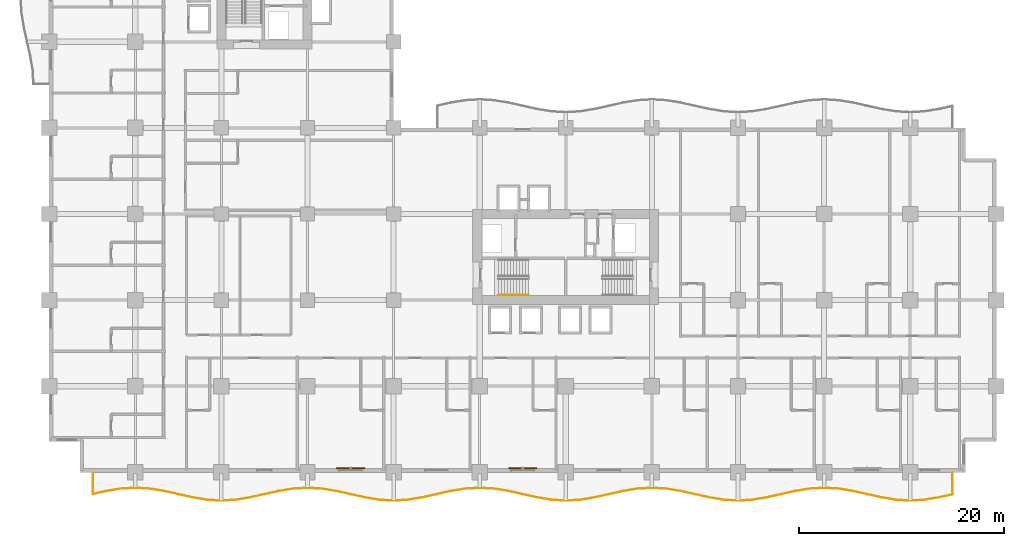
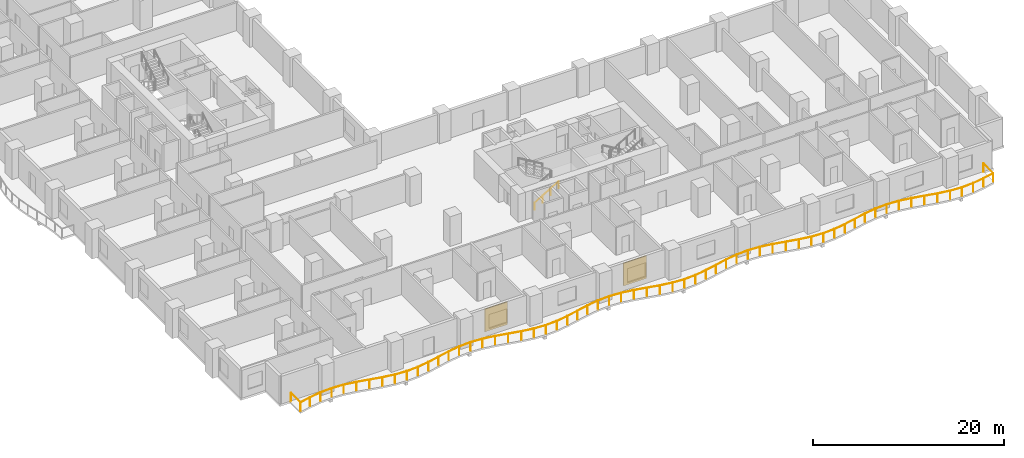
# One storey, part 20 of 23: 2 railings, 2 shading devices.
"""IFC4 building model written with IfcOpenShell, lengths in metres."""

from ifc_helpers import new_model, si_unit, direction, frame, origin, origin_2d, place, context, subcontext, project, spatial, rectangle, circle, extrude, material, layer, layer_set, type_object, element, save


model = new_model("IFC4")

# Units and contexts
model_context = context("Model", 3, precision=1e-05, world=origin(), true_north=direction((0.0, 1.0)))
body_context = subcontext(model_context, "Body", "Model", "MODEL_VIEW")
ifc_project = project(units=[si_unit("LENGTHUNIT", "METRE"), si_unit("AREAUNIT", "SQUARE_METRE"), si_unit("VOLUMEUNIT", "CUBIC_METRE"), si_unit("PLANEANGLEUNIT", "RADIAN"), si_unit("MASSUNIT", "GRAM", prefix="KILO")], contexts=[model_context])

# Site, building, storey
site_placement = place(None, origin())
site = spatial("IfcSite", under=ifc_project, at=site_placement, CompositionType="ELEMENT")
building_placement = place(site_placement, origin())
building = spatial("IfcBuilding", under=site, at=building_placement, Name="Koriwani Terraces Tower", CompositionType="ELEMENT")
storey_placement = place(building_placement, frame((0.0, 0.0, 32.0)))
storey = spatial("IfcBuildingStorey", under=building, at=storey_placement, Name="L06", CompositionType="ELEMENT", Elevation=32.0)

# Railings
ifc_material_1 = material(Name="Steel ASTM A572 Grade 50", Category="steel")
railing_type_1 = type_object("IfcRailingType", Name="GUARD_BALUSTRADE_1150", PredefinedType="BALUSTRADE", material=ifc_material_1)
railing_1_placement = place(storey_placement, frame((4.280029296875, -0.080078125, 0.0)))
element("IfcRailing", 1, at=railing_1_placement, inside=storey, type_object=railing_type_1, Name="L06 Balcony Perimeter Safety Balustrade (S)", PredefinedType="BALUSTRADE", context=body_context, shape_type="SweptSolid", body=[
    extrude(circle(Radius=0.02392578125, at=origin_2d()), frame((0.0, 0.0, 1.1259765625), z_axis=(0.0, -1.0, 0.0), x_axis=(1.0, 0.0, 0.0)), (0.0, 0.0, 1.0), 2.045166015625),
    extrude(circle(Radius=0.02392578125, at=origin_2d()), frame((0.0, -2.045166015625, 1.1259765625), z_axis=(0.975976038397, 0.21787788432, 0.0), x_axis=(-0.21787788432, 0.975976038397, 0.0)), (0.0, 0.0, 1.0), 1.3369140625),
    extrude(circle(Radius=0.02392578125, at=origin_2d()), frame((1.3046875, -1.75390625, 1.1259765625), z_axis=(0.986921202645, 0.161203411159, 0.0), x_axis=(-0.161203411159, 0.986921202645, 0.0)), (0.0, 0.0, 1.0), 1.425048828125),
    extrude(circle(Radius=0.02392578125, at=origin_2d()), frame((2.711181640625, -1.524169921875, 1.1259765625), z_axis=(0.998217235442, 0.059685432622, 0.0), x_axis=(-0.059685432622, 0.998217235442, 0.0)), (0.0, 0.0, 1.0), 1.4111328125),
    extrude(circle(Radius=0.02392578125, at=origin_2d()), frame((4.119873046875, -1.43994140625, 1.1259765625), z_axis=(0.998217851573, -0.059675127152, 0.0), x_axis=(0.059675127152, 0.998217851573, 0.0)), (0.0, 0.0, 1.0), 1.411376953125),
    extrude(circle(Radius=0.02392578125, at=origin_2d()), frame((5.52880859375, -1.524169921875, 1.1259765625), z_axis=(0.986916749742, -0.161230670401, 0.0), x_axis=(0.161230670401, 0.986916749742, 0.0)), (0.0, 0.0, 1.0), 1.4248046875),
    extrude(circle(Radius=0.02392578125, at=origin_2d()), frame((6.93505859375, -1.75390625, 1.1259765625), z_axis=(0.975982393728, -0.217849413893, 0.0), x_axis=(0.217849413893, 0.975982393728, 0.0)), (0.0, 0.0, 1.0), 2.868896484375),
    extrude(circle(Radius=0.02392578125, at=origin_2d()), frame((9.735107421875, -2.37890625, 1.1259765625), z_axis=(0.986907622111, -0.161286532042, 0.0), x_axis=(0.161286532042, 0.986907622111, 0.0)), (0.0, 0.0, 1.0), 1.412353515625),
    extrude(circle(Radius=0.02392578125, at=origin_2d()), frame((11.12890625, -2.606689453125, 1.1259765625), z_axis=(0.998214050326, -0.059738678687, 0.0), x_axis=(0.059738678687, 0.998214050326, 0.0)), (0.0, 0.0, 1.0), 1.3935546875),
    extrude(circle(Radius=0.02392578125, at=origin_2d()), frame((12.52001953125, -2.68994140625, 1.1259765625), z_axis=(0.998214050326, 0.059738678687, 0.0), x_axis=(-0.059738678687, 0.998214050326, 0.0)), (0.0, 0.0, 1.0), 1.3935546875),
    extrude(circle(Radius=0.02392578125, at=origin_2d()), frame((13.9111328125, -2.606689453125, 1.1259765625), z_axis=(0.986903124066, 0.16131405304, 0.0), x_axis=(-0.16131405304, 0.986903124066, 0.0)), (0.0, 0.0, 1.0), 1.412109375),
    extrude(circle(Radius=0.02392578125, at=origin_2d()), frame((15.3046875, -2.37890625, 1.1259765625), z_axis=(0.975982393728, 0.217849413893, 0.0), x_axis=(-0.217849413893, 0.975982393728, 0.0)), (0.0, 0.0, 1.0), 2.868896484375),
    extrude(circle(Radius=0.02392578125, at=origin_2d()), frame((18.104736328125, -1.75390625, 1.1259765625), z_axis=(0.986921202645, 0.161203411159, 0.0), x_axis=(-0.161203411159, 0.986921202645, 0.0)), (0.0, 0.0, 1.0), 1.425048828125),
    extrude(circle(Radius=0.02392578125, at=origin_2d()), frame((19.51123046875, -1.524169921875, 1.1259765625), z_axis=(0.998217235442, 0.059685432622, 0.0), x_axis=(-0.059685432622, 0.998217235442, 0.0)), (0.0, 0.0, 1.0), 1.4111328125),
    extrude(circle(Radius=0.02392578125, at=origin_2d()), frame((20.919921875, -1.43994140625, 1.1259765625), z_axis=(0.998217851573, -0.059675127152, 0.0), x_axis=(0.059675127152, 0.998217851573, 0.0)), (0.0, 0.0, 1.0), 1.411376953125),
    extrude(circle(Radius=0.02392578125, at=origin_2d()), frame((22.328857421875, -1.524169921875, 1.1259765625), z_axis=(0.986916749742, -0.161230670401, 0.0), x_axis=(0.161230670401, 0.986916749742, 0.0)), (0.0, 0.0, 1.0), 1.4248046875),
    extrude(circle(Radius=0.02392578125, at=origin_2d()), frame((23.735107421875, -1.75390625, 1.1259765625), z_axis=(0.975982393728, -0.217849413893, 0.0), x_axis=(0.217849413893, 0.975982393728, 0.0)), (0.0, 0.0, 1.0), 2.868896484375),
    extrude(circle(Radius=0.02392578125, at=origin_2d()), frame((26.53515625, -2.37890625, 1.1259765625), z_axis=(0.986907622111, -0.161286532042, 0.0), x_axis=(0.161286532042, 0.986907622111, 0.0)), (0.0, 0.0, 1.0), 1.412353515625),
    extrude(circle(Radius=0.02392578125, at=origin_2d()), frame((27.928955078125, -2.606689453125, 1.1259765625), z_axis=(0.998214050326, -0.059738678687, 0.0), x_axis=(0.059738678687, 0.998214050326, 0.0)), (0.0, 0.0, 1.0), 1.3935546875),
    extrude(circle(Radius=0.02392578125, at=origin_2d()), frame((29.320068359375, -2.68994140625, 1.1259765625), z_axis=(0.998214050326, 0.059738678687, 0.0), x_axis=(-0.059738678687, 0.998214050326, 0.0)), (0.0, 0.0, 1.0), 1.3935546875),
    extrude(circle(Radius=0.02392578125, at=origin_2d()), frame((30.711181640625, -2.606689453125, 1.1259765625), z_axis=(0.986903124066, 0.16131405304, 0.0), x_axis=(-0.16131405304, 0.986903124066, 0.0)), (0.0, 0.0, 1.0), 1.412109375),
    extrude(circle(Radius=0.02392578125, at=origin_2d()), frame((32.104736328125, -2.37890625, 1.1259765625), z_axis=(0.975982393728, 0.217849413893, 0.0), x_axis=(-0.217849413893, 0.975982393728, 0.0)), (0.0, 0.0, 1.0), 2.868896484375),
    extrude(circle(Radius=0.02392578125, at=origin_2d()), frame((34.90478515625, -1.75390625, 1.1259765625), z_axis=(0.986921202645, 0.161203411159, 0.0), x_axis=(-0.161203411159, 0.986921202645, 0.0)), (0.0, 0.0, 1.0), 1.425048828125),
    extrude(circle(Radius=0.02392578125, at=origin_2d()), frame((36.311279296875, -1.524169921875, 1.1259765625), z_axis=(0.998217235442, 0.059685432622, 0.0), x_axis=(-0.059685432622, 0.998217235442, 0.0)), (0.0, 0.0, 1.0), 1.4111328125),
    extrude(circle(Radius=0.02392578125, at=origin_2d()), frame((37.719970703125, -1.43994140625, 1.1259765625), z_axis=(0.998217235442, -0.059685432622, 0.0), x_axis=(0.059685432622, 0.998217235442, 0.0)), (0.0, 0.0, 1.0), 1.4111328125),
    extrude(circle(Radius=0.02392578125, at=origin_2d()), frame((39.128662109375, -1.524169921875, 1.1259765625), z_axis=(0.986921202645, -0.161203411159, 0.0), x_axis=(0.161203411159, 0.986921202645, 0.0)), (0.0, 0.0, 1.0), 1.425048828125),
    extrude(circle(Radius=0.02392578125, at=origin_2d()), frame((40.53515625, -1.75390625, 1.1259765625), z_axis=(0.975982393728, -0.217849413893, 0.0), x_axis=(0.217849413893, 0.975982393728, 0.0)), (0.0, 0.0, 1.0), 2.868896484375),
    extrude(circle(Radius=0.02392578125, at=origin_2d()), frame((43.335205078125, -2.37890625, 1.1259765625), z_axis=(0.986903124066, -0.16131405304, 0.0), x_axis=(0.16131405304, 0.986903124066, 0.0)), (0.0, 0.0, 1.0), 1.412109375),
    extrude(circle(Radius=0.02392578125, at=origin_2d()), frame((44.728759765625, -2.606689453125, 1.1259765625), z_axis=(0.998214050326, -0.059738678687, 0.0), x_axis=(0.059738678687, 0.998214050326, 0.0)), (0.0, 0.0, 1.0), 1.3935546875),
    extrude(circle(Radius=0.02392578125, at=origin_2d()), frame((46.119873046875, -2.68994140625, 1.1259765625), z_axis=(0.998214050326, 0.059738678687, 0.0), x_axis=(-0.059738678687, 0.998214050326, 0.0)), (0.0, 0.0, 1.0), 1.3935546875),
    extrude(circle(Radius=0.02392578125, at=origin_2d()), frame((47.510986328125, -2.606689453125, 1.1259765625), z_axis=(0.986907622111, 0.161286532042, 0.0), x_axis=(-0.161286532042, 0.986907622111, 0.0)), (0.0, 0.0, 1.0), 1.412353515625),
    extrude(circle(Radius=0.02392578125, at=origin_2d()), frame((48.90478515625, -2.37890625, 1.1259765625), z_axis=(0.975982393728, 0.217849413893, 0.0), x_axis=(-0.217849413893, 0.975982393728, 0.0)), (0.0, 0.0, 1.0), 2.868896484375),
    extrude(circle(Radius=0.02392578125, at=origin_2d()), frame((51.704833984375, -1.75390625, 1.1259765625), z_axis=(0.986916749742, 0.161230670401, 0.0), x_axis=(-0.161230670401, 0.986916749742, 0.0)), (0.0, 0.0, 1.0), 1.4248046875),
    extrude(circle(Radius=0.02392578125, at=origin_2d()), frame((53.111083984375, -1.524169921875, 1.1259765625), z_axis=(0.998217851573, 0.059675127152, 0.0), x_axis=(-0.059675127152, 0.998217851573, 0.0)), (0.0, 0.0, 1.0), 1.411376953125),
    extrude(circle(Radius=0.02392578125, at=origin_2d()), frame((54.52001953125, -1.43994140625, 1.1259765625), z_axis=(0.998217235442, -0.059685432622, 0.0), x_axis=(0.059685432622, 0.998217235442, 0.0)), (0.0, 0.0, 1.0), 1.4111328125),
    extrude(circle(Radius=0.02392578125, at=origin_2d()), frame((55.9287109375, -1.524169921875, 1.1259765625), z_axis=(0.986921202645, -0.161203411159, 0.0), x_axis=(0.161203411159, 0.986921202645, 0.0)), (0.0, 0.0, 1.0), 1.425048828125),
    extrude(circle(Radius=0.02392578125, at=origin_2d()), frame((57.335205078125, -1.75390625, 1.1259765625), z_axis=(0.975982393728, -0.217849413893, 0.0), x_axis=(0.217849413893, 0.975982393728, 0.0)), (0.0, 0.0, 1.0), 2.868896484375),
    extrude(circle(Radius=0.02392578125, at=origin_2d()), frame((60.13525390625, -2.37890625, 1.1259765625), z_axis=(0.986903124066, -0.16131405304, 0.0), x_axis=(0.16131405304, 0.986903124066, 0.0)), (0.0, 0.0, 1.0), 1.412109375),
    extrude(circle(Radius=0.02392578125, at=origin_2d()), frame((61.52880859375, -2.606689453125, 1.1259765625), z_axis=(0.998214050326, -0.059738678687, 0.0), x_axis=(0.059738678687, 0.998214050326, 0.0)), (0.0, 0.0, 1.0), 1.3935546875),
    extrude(circle(Radius=0.02392578125, at=origin_2d()), frame((62.919921875, -2.68994140625, 1.1259765625), z_axis=(0.998214050326, 0.059738678687, 0.0), x_axis=(-0.059738678687, 0.998214050326, 0.0)), (0.0, 0.0, 1.0), 1.3935546875),
    extrude(circle(Radius=0.02392578125, at=origin_2d()), frame((64.31103515625, -2.606689453125, 1.1259765625), z_axis=(0.986907622111, 0.161286532042, 0.0), x_axis=(-0.161286532042, 0.986907622111, 0.0)), (0.0, 0.0, 1.0), 1.412353515625),
    extrude(circle(Radius=0.02392578125, at=origin_2d()), frame((65.704833984375, -2.37890625, 1.1259765625), z_axis=(0.975982393728, 0.217849413893, 0.0), x_axis=(-0.217849413893, 0.975982393728, 0.0)), (0.0, 0.0, 1.0), 2.868896484375),
    extrude(circle(Radius=0.02392578125, at=origin_2d()), frame((68.5048828125, -1.75390625, 1.1259765625), z_axis=(0.986916749742, 0.161230670401, 0.0), x_axis=(-0.161230670401, 0.986916749742, 0.0)), (0.0, 0.0, 1.0), 1.4248046875),
    extrude(circle(Radius=0.02392578125, at=origin_2d()), frame((69.9111328125, -1.524169921875, 1.1259765625), z_axis=(0.998217851573, 0.059675127152, 0.0), x_axis=(-0.059675127152, 0.998217851573, 0.0)), (0.0, 0.0, 1.0), 1.411376953125),
    extrude(circle(Radius=0.02392578125, at=origin_2d()), frame((71.320068359375, -1.43994140625, 1.1259765625), z_axis=(0.998217235442, -0.059685432622, 0.0), x_axis=(0.059685432622, 0.998217235442, 0.0)), (0.0, 0.0, 1.0), 1.4111328125),
    extrude(circle(Radius=0.02392578125, at=origin_2d()), frame((72.728759765625, -1.524169921875, 1.1259765625), z_axis=(0.986921202645, -0.161203411159, 0.0), x_axis=(0.161203411159, 0.986921202645, 0.0)), (0.0, 0.0, 1.0), 1.425048828125),
    extrude(circle(Radius=0.02392578125, at=origin_2d()), frame((74.13525390625, -1.75390625, 1.1259765625), z_axis=(0.97597835464, -0.217867508535, 0.0), x_axis=(0.217867508535, 0.97597835464, 0.0)), (0.0, 0.0, 1.0), 2.86865234375),
    extrude(circle(Radius=0.02392578125, at=origin_2d()), frame((76.93505859375, -2.37890625, 1.1259765625), z_axis=(0.986907622111, -0.161286532042, 0.0), x_axis=(0.161286532042, 0.986907622111, 0.0)), (0.0, 0.0, 1.0), 1.412353515625),
    extrude(circle(Radius=0.02392578125, at=origin_2d()), frame((78.328857421875, -2.606689453125, 1.1259765625), z_axis=(0.998214050326, -0.059738678687, 0.0), x_axis=(0.059738678687, 0.998214050326, 0.0)), (0.0, 0.0, 1.0), 1.3935546875),
    extrude(circle(Radius=0.02392578125, at=origin_2d()), frame((79.719970703125, -2.68994140625, 1.1259765625), z_axis=(0.998214050326, 0.059738678687, 0.0), x_axis=(-0.059738678687, 0.998214050326, 0.0)), (0.0, 0.0, 1.0), 1.3935546875),
    extrude(circle(Radius=0.02392578125, at=origin_2d()), frame((81.111083984375, -2.606689453125, 1.1259765625), z_axis=(0.986907622111, 0.161286532042, 0.0), x_axis=(-0.161286532042, 0.986907622111, 0.0)), (0.0, 0.0, 1.0), 1.412353515625),
    extrude(circle(Radius=0.02392578125, at=origin_2d()), frame((82.5048828125, -2.37890625, 1.1259765625), z_axis=(0.97597243809, 0.217894011137, 0.0), x_axis=(-0.217894011137, 0.97597243809, 0.0)), (0.0, 0.0, 1.0), 1.3681640625),
    extrude(circle(Radius=0.02392578125, at=origin_2d()), frame((83.840087890625, -2.080810546875, 1.1259765625), z_axis=(0.0, 1.0, 0.0), x_axis=(-1.0, 0.0, 0.0)), (0.0, 0.0, 1.0), 2.080810546875),
    extrude(circle(Radius=0.02099609375, at=origin_2d()), origin(), (0.0, 0.0, 1.0), 1.101806640625),
    extrude(circle(Radius=0.02099609375, at=origin_2d()), frame((0.0, -2.045166015625, 0.0)), (0.0, 0.0, 1.0), 1.101806640625),
    extrude(circle(Radius=0.02099609375, at=origin_2d()), frame((1.3046875, -1.75390625, 0.0)), (0.0, 0.0, 1.0), 1.101806640625),
    extrude(circle(Radius=0.02099609375, at=origin_2d()), frame((2.711181640625, -1.524169921875, 0.0)), (0.0, 0.0, 1.0), 1.101806640625),
    extrude(circle(Radius=0.02099609375, at=origin_2d()), frame((4.119873046875, -1.43994140625, 0.0)), (0.0, 0.0, 1.0), 1.101806640625),
    extrude(circle(Radius=0.02099609375, at=origin_2d()), frame((5.52880859375, -1.524169921875, 0.0)), (0.0, 0.0, 1.0), 1.101806640625),
    extrude(circle(Radius=0.02099609375, at=origin_2d()), frame((6.93505859375, -1.75390625, 0.0)), (0.0, 0.0, 1.0), 1.101806640625),
    extrude(circle(Radius=0.02099609375, at=origin_2d()), frame((8.3349609375, -2.06640625, 0.0)), (0.0, 0.0, 1.0), 1.101806640625),
    extrude(circle(Radius=0.02099609375, at=origin_2d()), frame((9.735107421875, -2.37890625, 0.0)), (0.0, 0.0, 1.0), 1.101806640625),
    extrude(circle(Radius=0.02099609375, at=origin_2d()), frame((11.12890625, -2.606689453125, 0.0)), (0.0, 0.0, 1.0), 1.101806640625),
    extrude(circle(Radius=0.02099609375, at=origin_2d()), frame((12.52001953125, -2.68994140625, 0.0)), (0.0, 0.0, 1.0), 1.101806640625),
    extrude(circle(Radius=0.02099609375, at=origin_2d()), frame((13.9111328125, -2.606689453125, 0.0)), (0.0, 0.0, 1.0), 1.101806640625),
    extrude(circle(Radius=0.02099609375, at=origin_2d()), frame((15.3046875, -2.37890625, 0.0)), (0.0, 0.0, 1.0), 1.101806640625),
    extrude(circle(Radius=0.02099609375, at=origin_2d()), frame((16.70458984375, -2.06640625, 0.0)), (0.0, 0.0, 1.0), 1.101806640625),
    extrude(circle(Radius=0.02099609375, at=origin_2d()), frame((18.104736328125, -1.75390625, 0.0)), (0.0, 0.0, 1.0), 1.101806640625),
    extrude(circle(Radius=0.02099609375, at=origin_2d()), frame((19.51123046875, -1.524169921875, 0.0)), (0.0, 0.0, 1.0), 1.101806640625),
    extrude(circle(Radius=0.02099609375, at=origin_2d()), frame((20.919921875, -1.43994140625, 0.0)), (0.0, 0.0, 1.0), 1.101806640625),
    extrude(circle(Radius=0.02099609375, at=origin_2d()), frame((22.328857421875, -1.524169921875, 0.0)), (0.0, 0.0, 1.0), 1.101806640625),
    extrude(circle(Radius=0.02099609375, at=origin_2d()), frame((23.735107421875, -1.75390625, 0.0)), (0.0, 0.0, 1.0), 1.101806640625),
    extrude(circle(Radius=0.02099609375, at=origin_2d()), frame((25.13525390625, -2.06640625, 0.0)), (0.0, 0.0, 1.0), 1.101806640625),
    extrude(circle(Radius=0.02099609375, at=origin_2d()), frame((26.53515625, -2.37890625, 0.0)), (0.0, 0.0, 1.0), 1.101806640625),
    extrude(circle(Radius=0.02099609375, at=origin_2d()), frame((27.928955078125, -2.606689453125, 0.0)), (0.0, 0.0, 1.0), 1.101806640625),
    extrude(circle(Radius=0.02099609375, at=origin_2d()), frame((29.320068359375, -2.68994140625, 0.0)), (0.0, 0.0, 1.0), 1.101806640625),
    extrude(circle(Radius=0.02099609375, at=origin_2d()), frame((30.711181640625, -2.606689453125, 0.0)), (0.0, 0.0, 1.0), 1.101806640625),
    extrude(circle(Radius=0.02099609375, at=origin_2d()), frame((32.104736328125, -2.37890625, 0.0)), (0.0, 0.0, 1.0), 1.101806640625),
    extrude(circle(Radius=0.02099609375, at=origin_2d()), frame((33.5048828125, -2.06640625, 0.0)), (0.0, 0.0, 1.0), 1.101806640625),
    extrude(circle(Radius=0.02099609375, at=origin_2d()), frame((34.90478515625, -1.75390625, 0.0)), (0.0, 0.0, 1.0), 1.101806640625),
    extrude(circle(Radius=0.02099609375, at=origin_2d()), frame((36.311279296875, -1.524169921875, 0.0)), (0.0, 0.0, 1.0), 1.101806640625),
    extrude(circle(Radius=0.02099609375, at=origin_2d()), frame((37.719970703125, -1.43994140625, 0.0)), (0.0, 0.0, 1.0), 1.101806640625),
    extrude(circle(Radius=0.02099609375, at=origin_2d()), frame((39.128662109375, -1.524169921875, 0.0)), (0.0, 0.0, 1.0), 1.101806640625),
    extrude(circle(Radius=0.02099609375, at=origin_2d()), frame((40.53515625, -1.75390625, 0.0)), (0.0, 0.0, 1.0), 1.101806640625),
    extrude(circle(Radius=0.02099609375, at=origin_2d()), frame((41.93505859375, -2.06640625, 0.0)), (0.0, 0.0, 1.0), 1.101806640625),
    extrude(circle(Radius=0.02099609375, at=origin_2d()), frame((43.335205078125, -2.37890625, 0.0)), (0.0, 0.0, 1.0), 1.101806640625),
    extrude(circle(Radius=0.02099609375, at=origin_2d()), frame((44.728759765625, -2.606689453125, 0.0)), (0.0, 0.0, 1.0), 1.101806640625),
    extrude(circle(Radius=0.02099609375, at=origin_2d()), frame((46.119873046875, -2.68994140625, 0.0)), (0.0, 0.0, 1.0), 1.101806640625),
    extrude(circle(Radius=0.02099609375, at=origin_2d()), frame((47.510986328125, -2.606689453125, 0.0)), (0.0, 0.0, 1.0), 1.101806640625),
    extrude(circle(Radius=0.02099609375, at=origin_2d()), frame((48.90478515625, -2.37890625, 0.0)), (0.0, 0.0, 1.0), 1.101806640625),
    extrude(circle(Radius=0.02099609375, at=origin_2d()), frame((50.3046875, -2.06640625, 0.0)), (0.0, 0.0, 1.0), 1.101806640625),
    extrude(circle(Radius=0.02099609375, at=origin_2d()), frame((51.704833984375, -1.75390625, 0.0)), (0.0, 0.0, 1.0), 1.101806640625),
    extrude(circle(Radius=0.02099609375, at=origin_2d()), frame((53.111083984375, -1.524169921875, 0.0)), (0.0, 0.0, 1.0), 1.101806640625),
    extrude(circle(Radius=0.02099609375, at=origin_2d()), frame((54.52001953125, -1.43994140625, 0.0)), (0.0, 0.0, 1.0), 1.101806640625),
    extrude(circle(Radius=0.02099609375, at=origin_2d()), frame((55.9287109375, -1.524169921875, 0.0)), (0.0, 0.0, 1.0), 1.101806640625),
    extrude(circle(Radius=0.02099609375, at=origin_2d()), frame((57.335205078125, -1.75390625, 0.0)), (0.0, 0.0, 1.0), 1.101806640625),
    extrude(circle(Radius=0.02099609375, at=origin_2d()), frame((58.7353515625, -2.06640625, 0.0)), (0.0, 0.0, 1.0), 1.101806640625),
    extrude(circle(Radius=0.02099609375, at=origin_2d()), frame((60.13525390625, -2.37890625, 0.0)), (0.0, 0.0, 1.0), 1.101806640625),
    extrude(circle(Radius=0.02099609375, at=origin_2d()), frame((61.52880859375, -2.606689453125, 0.0)), (0.0, 0.0, 1.0), 1.101806640625),
    extrude(circle(Radius=0.02099609375, at=origin_2d()), frame((62.919921875, -2.68994140625, 0.0)), (0.0, 0.0, 1.0), 1.101806640625),
    extrude(circle(Radius=0.02099609375, at=origin_2d()), frame((64.31103515625, -2.606689453125, 0.0)), (0.0, 0.0, 1.0), 1.101806640625),
    extrude(circle(Radius=0.02099609375, at=origin_2d()), frame((65.704833984375, -2.37890625, 0.0)), (0.0, 0.0, 1.0), 1.101806640625),
    extrude(circle(Radius=0.02099609375, at=origin_2d()), frame((67.10498046875, -2.06640625, 0.0)), (0.0, 0.0, 1.0), 1.101806640625),
    extrude(circle(Radius=0.02099609375, at=origin_2d()), frame((68.5048828125, -1.75390625, 0.0)), (0.0, 0.0, 1.0), 1.101806640625),
    extrude(circle(Radius=0.02099609375, at=origin_2d()), frame((69.9111328125, -1.524169921875, 0.0)), (0.0, 0.0, 1.0), 1.101806640625),
    extrude(circle(Radius=0.02099609375, at=origin_2d()), frame((71.320068359375, -1.43994140625, 0.0)), (0.0, 0.0, 1.0), 1.101806640625),
    extrude(circle(Radius=0.02099609375, at=origin_2d()), frame((72.728759765625, -1.524169921875, 0.0)), (0.0, 0.0, 1.0), 1.101806640625),
    extrude(circle(Radius=0.02099609375, at=origin_2d()), frame((74.13525390625, -1.75390625, 0.0)), (0.0, 0.0, 1.0), 1.101806640625),
    extrude(circle(Radius=0.02099609375, at=origin_2d()), frame((75.53515625, -2.06640625, 0.0)), (0.0, 0.0, 1.0), 1.101806640625),
    extrude(circle(Radius=0.02099609375, at=origin_2d()), frame((76.93505859375, -2.37890625, 0.0)), (0.0, 0.0, 1.0), 1.101806640625),
    extrude(circle(Radius=0.02099609375, at=origin_2d()), frame((78.328857421875, -2.606689453125, 0.0)), (0.0, 0.0, 1.0), 1.101806640625),
    extrude(circle(Radius=0.02099609375, at=origin_2d()), frame((79.719970703125, -2.68994140625, 0.0)), (0.0, 0.0, 1.0), 1.101806640625),
    extrude(circle(Radius=0.02099609375, at=origin_2d()), frame((81.111083984375, -2.606689453125, 0.0)), (0.0, 0.0, 1.0), 1.101806640625),
    extrude(circle(Radius=0.02099609375, at=origin_2d()), frame((82.5048828125, -2.37890625, 0.0)), (0.0, 0.0, 1.0), 1.101806640625),
    extrude(circle(Radius=0.02099609375, at=origin_2d()), frame((83.840087890625, -2.080810546875, 0.0)), (0.0, 0.0, 1.0), 1.101806640625),
    extrude(circle(Radius=0.02099609375, at=origin_2d()), frame((83.840087890625, 0.0, 0.0)), (0.0, 0.0, 1.0), 1.101806640625),
])
railing_type_2 = type_object("IfcRailingType", Name="HANDRAIL_STAIR_920", PredefinedType="HANDRAIL", material=ifc_material_1)
railing_2_placement = place(storey_placement, frame((43.85009765625, 17.300048828125, 0.172607421875)))
element("IfcRailing", 2, at=railing_2_placement, inside=storey, type_object=railing_type_2, Name="L06 ST-E1 stair handrail 1", PredefinedType="HANDRAIL", context=body_context, shape_type="SweptSolid", body=[
    extrude(circle(Radius=0.02392578125, at=origin_2d()), frame((0.0, 0.0, 0.8759765625), z_axis=(0.859141464434, 0.0, 0.511738159696), x_axis=(0.0, 1.0, 0.0)), (0.0, 0.0, 1.0), 3.375244140625),
    extrude(circle(Radius=0.02099609375, at=origin_2d()), origin(), (0.0, 0.0, 1.0), 0.851806640625),
    extrude(circle(Radius=0.02099609375, at=origin_2d()), frame((0.966552734375, 0.0, 0.57568359375)), (0.0, 0.0, 1.0), 0.851806640625),
    extrude(circle(Radius=0.02099609375, at=origin_2d()), frame((1.933349609375, 0.0, 1.151611328125)), (0.0, 0.0, 1.0), 0.851806640625),
    extrude(circle(Radius=0.02099609375, at=origin_2d()), frame((2.89990234375, 0.0, 1.727294921875)), (0.0, 0.0, 1.0), 0.851806640625),
])

# Shading devices
ifc_material_2 = material(Name="Extruded Terracotta Clay", Category="masonry")
ifc_layer = layer(ifc_material_2, 0.1201171875, Name="Extruded Terracotta Clay")
ifc_layer_set = layer_set([ifc_layer], Name="Extruded Terracotta Clay")
shading_device_type = type_object("IfcShadingDeviceType", Name="TERRACOTTA_BAGUETTE_SCREEN_2800", PredefinedType="USERDEFINED", material=ifc_layer_set)
for number, where, z_axis, x_axis, name in (
    (3, (29.39990234375, 0.405029296875, 0.324951171875), (0.0, 0.0, 1.0), (-1.0, 0.0, 0.0), "L06 Extruded Terracotta Baguette Screen (S-9)"),
    (4, (46.199951171875, 0.405029296875, 0.324951171875), (0.0, 0.0, 1.0), (-1.0, 0.0, 0.0), "L06 Extruded Terracotta Baguette Screen (S-15)"),
):
    element("IfcShadingDevice", number, at=place(storey_placement, frame(where, z_axis=z_axis, x_axis=x_axis)), inside=storey, type_object=shading_device_type, Name=name, ObjectType="BAGUETTE", PredefinedType="USERDEFINED", context=body_context, shape_type="SweptSolid", body=[
        extrude(rectangle(XDim=2.760009765625, YDim=0.1201171875, at=origin_2d()), origin(), (0.0, 0.0, 1.0), 2.89990234375),
    ])

save(model, "model.ifc")
